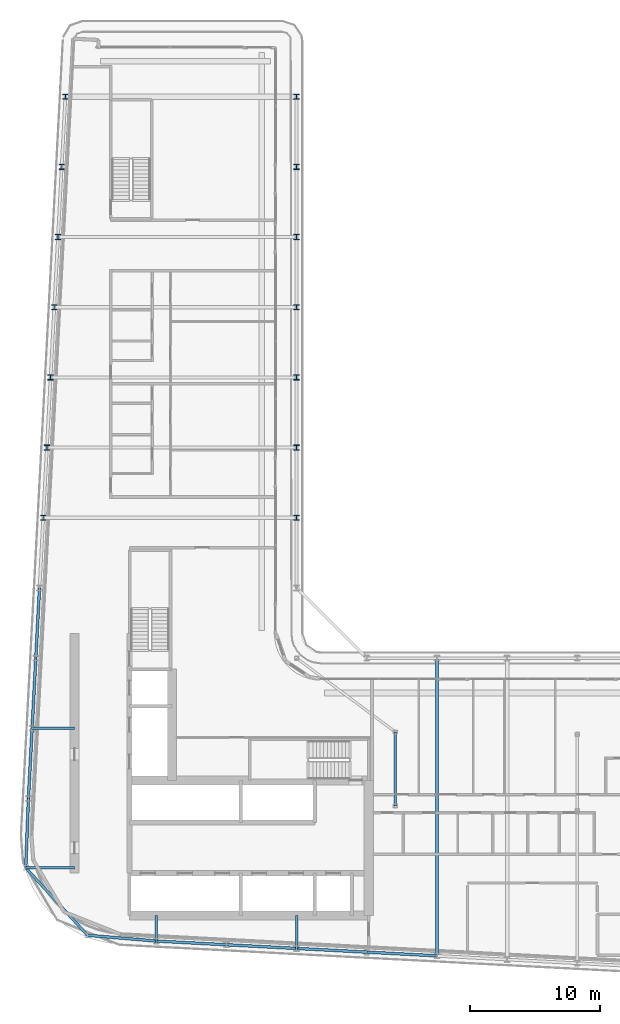
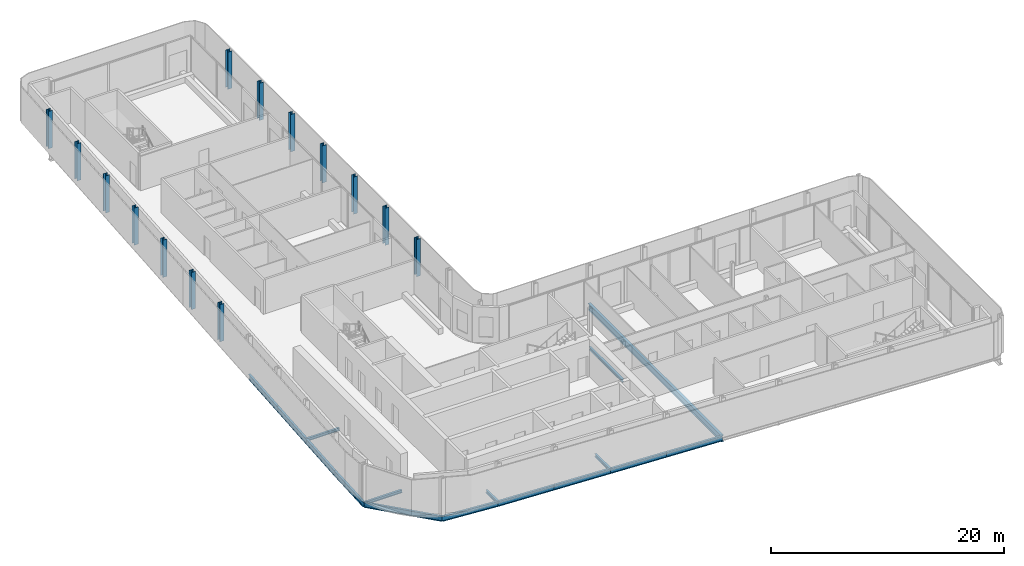
# One storey, part 3 of 21: 16 beams, 14 columns.
"""IFC4 building model written with IfcOpenShell, lengths in metres."""

import ifcopenshell
import ifcopenshell.guid

model = None  # the IFC model being written
_history = None  # IfcOwnerHistory: only IFC2X3 demands one
_inside = {}  # id of a spatial element -> (the spatial element, [elements in it])
_under = {}  # id of a project, library or spatial element -> (it, [spatial elements below it])
_declared = {}  # id of a project -> (the project, [libraries it declares])
_typed = {}  # id of a type object -> (the type object, [elements of that type])
_made_of = {}  # id of a material, layer set ... -> (it, [elements and type objects made of it])


def new_model(schema):
    """Start an empty IFC model of exactly this schema.

    Asked for "IFC4X3", IfcOpenShell would pick the latest addendum, in which some entities
    have other attributes; the version numbers below select the first issue.
    IFC2X3 requires an IfcOwnerHistory on every rooted entity: one is made here for all.
    """
    global model, _history
    if schema == "IFC4X3":
        model = ifcopenshell.file(schema_version=(4, 3, 0, 0))
    else:
        model = ifcopenshell.file(schema=schema)
    _inside.clear()
    _under.clear()
    _declared.clear()
    _typed.clear()
    _made_of.clear()
    _history = None
    if model.schema == "IFC2X3":
        org = make("IfcOrganization", Name="unknown")
        user = make(
            "IfcPersonAndOrganization",
            ThePerson=make("IfcPerson", FamilyName="unknown"),
            TheOrganization=org,
        )
        app = make(
            "IfcApplication",
            ApplicationDeveloper=org,
            Version="unknown",
            ApplicationFullName="unknown",
            ApplicationIdentifier="unknown",
        )
        _history = make(
            "IfcOwnerHistory",
            OwningUser=user,
            OwningApplication=app,
            ChangeAction="ADDED",
            CreationDate=0,
        )
    return model


def make(cls, **values):
    """One entity of the class cls with the attributes given. An attribute that is None is left unset."""
    return model.create_entity(
        cls, **{name: value for name, value in values.items() if value is not None}
    )


def rooted(cls, **values):
    """An entity with a GlobalId (a new one), such as an element, a storey or a relation."""
    return make(cls, GlobalId=ifcopenshell.guid.new(), OwnerHistory=_history, **values)


def si_unit(unit_type, name, prefix=None):
    """IfcSIUnit, for example si_unit("LENGTHUNIT", "METRE", prefix="MILLI")."""
    return make("IfcSIUnit", UnitType=unit_type, Prefix=prefix, Name=name)


def assignment(units):
    """IfcUnitAssignment: the units of a project."""
    return None if units is None else make("IfcUnitAssignment", Units=units)


def point(xyz):
    """IfcCartesianPoint."""
    return None if xyz is None else make("IfcCartesianPoint", Coordinates=xyz)


def direction(xyz):
    """IfcDirection."""
    return None if xyz is None else make("IfcDirection", DirectionRatios=xyz)


def frame(location, z_axis=None, x_axis=None):
    """IfcAxis2Placement3D, a coordinate frame: its origin and axes. An axis left out is left unset."""
    return make(
        "IfcAxis2Placement3D",
        Location=point(location),
        Axis=direction(z_axis),
        RefDirection=direction(x_axis),
    )


def frame_2d(location, x_axis=None):
    """IfcAxis2Placement2D, a coordinate frame in the plane: its origin and x axis."""
    return make(
        "IfcAxis2Placement2D", Location=point(location), RefDirection=direction(x_axis)
    )


def origin():
    """The frame at (0, 0, 0) with its axes left unset."""
    return frame((0.0, 0.0, 0.0))


def origin_2d():
    """The frame at (0, 0) in the plane with its x axis left unset."""
    return frame_2d((0.0, 0.0))


def place(relative_to, where):
    """IfcLocalPlacement: puts the frame where relative to a parent placement (None: the world)."""
    return make(
        "IfcLocalPlacement", PlacementRelTo=relative_to, RelativePlacement=where
    )


def context(
    kind, dimensions, precision=None, world=None, true_north=None, identifier=None
):
    """IfcGeometricRepresentationContext, for example the 3D "Model" context."""
    return make(
        "IfcGeometricRepresentationContext",
        ContextIdentifier=identifier,
        ContextType=kind,
        CoordinateSpaceDimension=dimensions,
        Precision=precision,
        WorldCoordinateSystem=world,
        TrueNorth=true_north,
    )


def subcontext(parent, identifier, kind, view, scale=None):
    """IfcGeometricRepresentationSubContext, for example "Body" below "Model"."""
    return make(
        "IfcGeometricRepresentationSubContext",
        ContextIdentifier=identifier,
        ContextType=kind,
        ParentContext=parent,
        TargetScale=scale,
        TargetView=view,
    )


def project(units=None, contexts=None):
    """IfcProject with its units and contexts."""
    return rooted(
        "IfcProject",
        Name="project",
        RepresentationContexts=contexts,
        UnitsInContext=assignment(units),
    )


def spatial(cls, under=None, at=None, **own):
    """A site, building, storey or space (cls), placed at a placement, below another one or the project."""
    s = rooted(cls, ObjectPlacement=at, **own)
    if under is not None:
        _under.setdefault(under.id(), (under, []))[1].append(s)
    return s


def profile(cls, at=None, kind="AREA", **sizes):
    """A parametric profile (cls). Its sizes go by their IFC names, for example OverallWidth=200.0."""
    return make(cls, ProfileType=kind, Position=at, **sizes)


def i_section(**sizes):
    """IfcIShapeProfileDef."""
    return profile("IfcIShapeProfileDef", **sizes)


def extrude(swept, where, along, depth):
    """IfcExtrudedAreaSolid: the profile swept, set in the frame where, extruded along a direction by depth."""
    return make(
        "IfcExtrudedAreaSolid",
        SweptArea=swept,
        Position=where,
        ExtrudedDirection=direction(along),
        Depth=depth,
    )


def shape(context_of_items, identifier, shape_type, items):
    """IfcShapeRepresentation: the items that make up one representation, for example the "Body"."""
    return make(
        "IfcShapeRepresentation",
        ContextOfItems=context_of_items,
        RepresentationIdentifier=identifier,
        RepresentationType=shape_type,
        Items=items,
    )


def material(Name=None, Category=None):
    """IfcMaterial."""
    return make("IfcMaterial", Name=Name, Category=Category)


def material_profile(
    of_material, cross_section, Name=None, Category=None, Priority=None
):
    """IfcMaterialProfile: a cross section and its material."""
    return make(
        "IfcMaterialProfile",
        Name=Name,
        Material=of_material,
        Profile=cross_section,
        Priority=Priority,
        Category=Category,
    )


def profile_set(profiles, Name=None, composite=None):
    """IfcMaterialProfileSet."""
    return make(
        "IfcMaterialProfileSet",
        Name=Name,
        MaterialProfiles=profiles,
        CompositeProfile=composite,
    )


def made_of(thing, what):
    """Note that an element or type object is made of a material, layer set ...; save() writes the relation."""
    if what is not None:
        _made_of.setdefault(what.id(), (what, []))[1].append(thing)
    return thing


def type_object(cls, material=None, **own):
    """A type object (cls), such as IfcWallType, which elements share."""
    return made_of(rooted(cls, **own), material)


def element(
    cls,
    number,
    at=None,
    inside=None,
    cuts=None,
    type_object=None,
    material=None,
    context=None,
    identifier="Body",
    shape_type=None,
    held_by="IfcProductDefinitionShape",
    body=None,
    shapes=None,
    **own,
):
    """One element of the class cls, such as IfcWall. Its Tag is "e" and its number.

    at: its placement. inside: the storey or other place that contains it. cuts: it is an
    opening in that element (IfcRelVoidsElement). A single representation is given by context,
    identifier, shape_type and body (its items); several are given by shapes. held_by: the class
    of the entity that holds the representations. save() writes the other relations.
    """
    e = rooted(cls, Tag="e%d" % number, ObjectPlacement=at, **own)
    if body is not None:
        shapes = [shape(context, identifier, shape_type, body)]
    if shapes is not None:
        e.Representation = make(held_by, Representations=shapes)
    if inside is not None:
        _inside.setdefault(inside.id(), (inside, []))[1].append(e)
    if cuts is not None:
        rooted(
            "IfcRelVoidsElement", RelatingBuildingElement=cuts, RelatedOpeningElement=e
        )
    if type_object is not None:
        _typed.setdefault(type_object.id(), (type_object, []))[1].append(e)
    return made_of(e, material)


def aggregate(whole, parts):
    """IfcRelAggregates: a whole, such as a stair, and the parts it consists of."""
    return rooted("IfcRelAggregates", RelatingObject=whole, RelatedObjects=parts)


def save(model, path):
    """Write the relations noted so far, then the file.

    IfcRelAggregates (storeys below a building ...), IfcRelContainedInSpatialStructure (elements
    in a storey), IfcRelDefinesByType, IfcRelAssociatesMaterial and IfcRelDeclares: one each for
    every whole, place, type object, material and project.
    """
    for whole, parts in _under.values():
        aggregate(whole, parts)
    for where, things in _inside.values():
        rooted(
            "IfcRelContainedInSpatialStructure",
            RelatedElements=things,
            RelatingStructure=where,
        )
    for kind, things in _typed.values():
        rooted("IfcRelDefinesByType", RelatedObjects=things, RelatingType=kind)
    for what, things in _made_of.values():
        rooted("IfcRelAssociatesMaterial", RelatedObjects=things, RelatingMaterial=what)
    for by, libraries in _declared.values():
        rooted("IfcRelDeclares", RelatingContext=by, RelatedDefinitions=libraries)
    model.write(path)


model = new_model("IFC4")

# Units and contexts
model_context = context("Model", 3, precision=1e-05, world=origin(), true_north=direction((0.0, 1.0)))
body_context = subcontext(model_context, "Body", "Model", "MODEL_VIEW")
ifc_project = project(units=[si_unit("LENGTHUNIT", "METRE"), si_unit("AREAUNIT", "SQUARE_METRE"), si_unit("VOLUMEUNIT", "CUBIC_METRE"), si_unit("PLANEANGLEUNIT", "RADIAN"), si_unit("MASSUNIT", "GRAM", prefix="KILO")], contexts=[model_context])

# Site, building, storey
site_placement = place(None, origin())
site = spatial("IfcSite", under=ifc_project, at=site_placement, CompositionType="ELEMENT")
building_placement = place(site_placement, origin())
building = spatial("IfcBuilding", under=site, at=building_placement, Name="Kheshtan School and Residences Tower", CompositionType="ELEMENT")
storey_placement = place(building_placement, frame((0.0, 0.0, 227.89990234375)))
storey = spatial("IfcBuildingStorey", under=building, at=storey_placement, Name="L53", CompositionType="ELEMENT", Elevation=227.89990234375)

# Columns
ifc_material = material(Name="Steel ASTM A992 Grade 50", Category="steel")
ifc_material_profile_1 = material_profile(ifc_material, i_section(OverallWidth=0.404052734375, OverallDepth=0.406982421875, WebThickness=0.027099609375, FlangeThickness=0.043701171875, FilletRadius=0.01220703125, at=origin_2d()), Name="W360x347")
ifc_profile_set_1 = profile_set([ifc_material_profile_1], Name="Steel ASTM A992 Grade 50")
column_type = type_object("IfcColumnType", Name="Column C4 W360x347 ASTM A992 Grade 50", PredefinedType="COLUMN", material=ifc_profile_set_1)
for number, where, z_axis, x_axis, name in (
    (1, (28.10595703125, 56.39990234375, 0.0), (0.0, 0.0, 1.0), (1.0, 0.0, 0.0), "Column C080"),
    (2, (47.60009765625, 56.39990234375, 0.0), (0.0, 0.0, 1.0), (1.0, 0.0, 0.0), "Column C081"),
    (3, (28.389892578125, 61.800048828125, 0.0), (0.0, 0.0, 1.0), (1.0, 0.0, 0.0), "Column C082"),
    (4, (47.60009765625, 61.800048828125, 0.0), (0.0, 0.0, 1.0), (1.0, 0.0, 0.0), "Column C083"),
    (5, (28.674072265625, 67.199951171875, 0.0), (0.0, 0.0, 1.0), (1.0, 0.0, 0.0), "Column C084"),
    (6, (47.60009765625, 67.199951171875, 0.0), (0.0, 0.0, 1.0), (1.0, 0.0, 0.0), "Column C085"),
    (7, (28.9580078125, 72.60009765625, 0.0), (0.0, 0.0, 1.0), (1.0, 0.0, 0.0), "Column C086"),
    (8, (47.60009765625, 72.60009765625, 0.0), (0.0, 0.0, 1.0), (1.0, 0.0, 0.0), "Column C087"),
    (9, (29.242919921875, 78.0, 0.0), (0.0, 0.0, 1.0), (1.0, 0.0, 0.0), "Column C088"),
    (10, (47.60009765625, 78.0, 0.0), (0.0, 0.0, 1.0), (1.0, 0.0, 0.0), "Column C089"),
    (11, (29.527099609375, 83.39990234375, 0.0), (0.0, 0.0, 1.0), (1.0, 0.0, 0.0), "Column C090"),
    (12, (47.60009765625, 83.39990234375, 0.0), (0.0, 0.0, 1.0), (1.0, 0.0, 0.0), "Column C091"),
    (13, (29.81103515625, 88.800048828125, 0.0), (0.0, 0.0, 1.0), (1.0, 0.0, 0.0), "Column C098"),
    (14, (47.60009765625, 88.800048828125, 0.0), (0.0, 0.0, 1.0), (1.0, 0.0, 0.0), "Column C099"),
):
    element("IfcColumn", number, at=place(storey_placement, frame(where, z_axis=z_axis, x_axis=x_axis)), inside=storey, type_object=column_type, Name=name, PredefinedType="COLUMN", context=body_context, shape_type="SweptSolid", body=[
        extrude(i_section(OverallWidth=0.404052734375, OverallDepth=0.406982421875, WebThickness=0.027099609375, FlangeThickness=0.043701171875, FilletRadius=0.01220703125, at=origin_2d()), origin(), (0.0, 0.0, 1.0), 3.900146484375),
    ])

# Beams
ifc_material_profile_2 = material_profile(ifc_material, i_section(OverallWidth=0.202880859375, OverallDepth=0.302978515625, WebThickness=0.007568359375, FlangeThickness=0.01318359375, FilletRadius=0.009033203125, at=origin_2d()), Name="W310x60")
ifc_profile_set_2 = profile_set([ifc_material_profile_2], Name="Steel ASTM A992 Grade 50")
beam_type_1 = type_object("IfcBeamType", Name="Beam FB1 W310x60 ASTM A992 Grade 50", PredefinedType="BEAM", material=ifc_profile_set_2)
beam_1_placement = place(storey_placement, frame((47.60009765625, 23.263916015625, -0.301513671875), z_axis=(0.0, 1.0, 0.0), x_axis=(-1.0, 0.0, 0.0)))
element("IfcBeam", 15, at=beam_1_placement, inside=storey, type_object=beam_type_1, Name="Floor beam C020", PredefinedType="BEAM", context=body_context, shape_type="SweptSolid", body=[
    extrude(i_section(OverallWidth=0.202880859375, OverallDepth=0.302978515625, WebThickness=0.007568359375, FlangeThickness=0.01318359375, FilletRadius=0.009033203125, at=origin_2d()), origin(), (0.0, 0.0, 1.0), 2.5361328125),
])
beam_2_placement = place(storey_placement, frame((36.800048828125, 23.83203125, -0.301513671875), z_axis=(0.0, 1.0, 0.0), x_axis=(-1.0, 0.0, 0.0)))
element("IfcBeam", 16, at=beam_2_placement, inside=storey, type_object=beam_type_1, Name="Floor beam C022", PredefinedType="BEAM", context=body_context, shape_type="SweptSolid", body=[
    extrude(i_section(OverallWidth=0.202880859375, OverallDepth=0.302978515625, WebThickness=0.007568359375, FlangeThickness=0.01318359375, FilletRadius=0.009033203125, at=origin_2d()), origin(), (0.0, 0.0, 1.0), 1.968017578125),
])
beam_3_placement = place(storey_placement, frame((26.760986328125, 29.465087890625, -0.301513671875), z_axis=(1.0, 0.0, 0.0), x_axis=(0.0, 1.0, 0.0)))
element("IfcBeam", 17, at=beam_3_placement, inside=storey, type_object=beam_type_1, Name="Floor beam C042", PredefinedType="BEAM", context=body_context, shape_type="SweptSolid", body=[
    extrude(i_section(OverallWidth=0.202880859375, OverallDepth=0.302978515625, WebThickness=0.007568359375, FlangeThickness=0.01318359375, FilletRadius=0.009033203125, at=origin_2d()), origin(), (0.0, 0.0, 1.0), 3.739013671875),
])
beam_4_placement = place(storey_placement, frame((27.2529296875, 40.199951171875, -0.301513671875), z_axis=(1.0, 0.0, 0.0), x_axis=(0.0, 1.0, 0.0)))
element("IfcBeam", 18, at=beam_4_placement, inside=storey, type_object=beam_type_1, Name="Floor beam C056", PredefinedType="BEAM", context=body_context, shape_type="SweptSolid", body=[
    extrude(i_section(OverallWidth=0.202880859375, OverallDepth=0.302978515625, WebThickness=0.007568359375, FlangeThickness=0.01318359375, FilletRadius=0.009033203125, at=origin_2d()), origin(), (0.0, 0.0, 1.0), 3.2470703125),
])
beam_5_placement = place(storey_placement, frame((55.199951171875, 34.23193359375, -0.301513671875), z_axis=(0.0, 1.0, 0.0), x_axis=(-1.0, 0.0, 0.0)))
element("IfcBeam", 19, at=beam_5_placement, inside=storey, type_object=beam_type_1, Name="Floor beam IC", PredefinedType="BEAM", context=body_context, shape_type="SweptSolid", body=[
    extrude(i_section(OverallWidth=0.202880859375, OverallDepth=0.302978515625, WebThickness=0.007568359375, FlangeThickness=0.01318359375, FilletRadius=0.009033203125, at=origin_2d()), origin(), (0.0, 0.0, 1.0), 5.68408203125),
])
ifc_material_profile_3 = material_profile(ifc_material, i_section(OverallWidth=0.2529296875, OverallDepth=0.677978515625, WebThickness=0.01171875, FlangeThickness=0.016357421875, FilletRadius=0.0146484375, at=origin_2d()), Name="W690x125")
ifc_profile_set_3 = profile_set([ifc_material_profile_3], Name="Steel ASTM A992 Grade 50")
beam_type_2 = type_object("IfcBeamType", Name="Beam FB6 W690x125 ASTM A992 Grade 50", PredefinedType="BEAM", material=ifc_profile_set_3)
beam_6_placement = place(storey_placement, frame((58.39990234375, 22.695068359375, -0.489013671875), z_axis=(0.0, 1.0, 0.0), x_axis=(-1.0, 0.0, 0.0)))
element("IfcBeam", 20, at=beam_6_placement, inside=storey, type_object=beam_type_2, Name="Floor beam C018", PredefinedType="BEAM", context=body_context, shape_type="SweptSolid", body=[
    extrude(i_section(OverallWidth=0.2529296875, OverallDepth=0.677978515625, WebThickness=0.01171875, FlangeThickness=0.016357421875, FilletRadius=0.0146484375, at=origin_2d()), origin(), (0.0, 0.0, 1.0), 22.905029296875),
])
ifc_material_profile_4 = material_profile(ifc_material, i_section(OverallWidth=0.208984375, OverallDepth=0.532958984375, WebThickness=0.01025390625, FlangeThickness=0.015625, FilletRadius=0.013916015625, at=origin_2d()), Name="W530x92")
ifc_profile_set_4 = profile_set([ifc_material_profile_4], Name="Steel ASTM A992 Grade 50")
beam_type_3 = type_object("IfcBeamType", Name="Beam SP3 W530x92 ASTM A992 Grade 50", PredefinedType="BEAM", material=ifc_profile_set_4)
for number, where, z_axis, x_axis, name in (
    (21, (58.39990234375, 22.695068359375, -0.41650390625), (-0.998610961136, 0.052689166816, 0.0), (-0.052689166816, -0.998610961136, 0.0), "Spandrel beam C018-C019"),
    (22, (53.0, 22.97998046875, -0.41650390625), (-0.998620447272, 0.05250906864, 0.0), (-0.05250906864, -0.998620447272, 0.0), "Spandrel beam C019-C020"),
):
    element("IfcBeam", number, at=place(storey_placement, frame(where, z_axis=z_axis, x_axis=x_axis)), inside=storey, type_object=beam_type_3, Name=name, PredefinedType="BEAM", context=body_context, shape_type="SweptSolid", body=[
        extrude(i_section(OverallWidth=0.208984375, OverallDepth=0.532958984375, WebThickness=0.01025390625, FlangeThickness=0.015625, FilletRadius=0.013916015625, at=origin_2d()), origin(), (0.0, 0.0, 1.0), 5.407470703125),
    ])
beam_7_placement = place(storey_placement, frame((47.60009765625, 23.263916015625, -0.41650390625), z_axis=(-0.998618203458, 0.052551724256, 0.0), x_axis=(-0.052551724256, -0.998618203458, 0.0)))
element("IfcBeam", 23, at=beam_7_placement, inside=storey, type_object=beam_type_3, Name="Spandrel beam C020-C021", PredefinedType="BEAM", context=body_context, shape_type="SweptSolid", body=[
    extrude(i_section(OverallWidth=0.208984375, OverallDepth=0.532958984375, WebThickness=0.01025390625, FlangeThickness=0.015625, FilletRadius=0.013916015625, at=origin_2d()), origin(), (0.0, 0.0, 1.0), 5.40771484375),
])
beam_8_placement = place(storey_placement, frame((42.199951171875, 23.548095703125, -0.41650390625), z_axis=(-0.998620447272, 0.05250906864, 0.0), x_axis=(-0.05250906864, -0.998620447272, 0.0)))
element("IfcBeam", 24, at=beam_8_placement, inside=storey, type_object=beam_type_3, Name="Spandrel beam C021-C022", PredefinedType="BEAM", context=body_context, shape_type="SweptSolid", body=[
    extrude(i_section(OverallWidth=0.208984375, OverallDepth=0.532958984375, WebThickness=0.01025390625, FlangeThickness=0.015625, FilletRadius=0.013916015625, at=origin_2d()), origin(), (0.0, 0.0, 1.0), 5.407470703125),
])
beam_9_placement = place(storey_placement, frame((36.800048828125, 23.83203125, -0.41650390625), z_axis=(-0.996468782973, 0.083964067084, 0.0), x_axis=(-0.083964067084, -0.996468782973, 0.0)))
element("IfcBeam", 25, at=beam_9_placement, inside=storey, type_object=beam_type_3, Name="Spandrel beam C022-C029", PredefinedType="BEAM", context=body_context, shape_type="SweptSolid", body=[
    extrude(i_section(OverallWidth=0.208984375, OverallDepth=0.532958984375, WebThickness=0.01025390625, FlangeThickness=0.015625, FilletRadius=0.013916015625, at=origin_2d()), origin(), (0.0, 0.0, 1.0), 5.30078125),
])
beam_10_placement = place(storey_placement, frame((31.51806640625, 24.277099609375, -0.41650390625), z_axis=(-0.675834565475, 0.737053349568, 0.0), x_axis=(-0.737053349568, -0.675834565475, 0.0)))
element("IfcBeam", 26, at=beam_10_placement, inside=storey, type_object=beam_type_3, Name="Spandrel beam C029-C042", PredefinedType="BEAM", context=body_context, shape_type="SweptSolid", body=[
    extrude(i_section(OverallWidth=0.208984375, OverallDepth=0.532958984375, WebThickness=0.01025390625, FlangeThickness=0.015625, FilletRadius=0.013916015625, at=origin_2d()), origin(), (0.0, 0.0, 1.0), 7.038818359375),
])
beam_11_placement = place(storey_placement, frame((26.760986328125, 29.465087890625, -0.41650390625), z_axis=(0.038959964217, 0.999240772381, 0.0), x_axis=(-0.999240772381, 0.038959964217, 0.0)))
element("IfcBeam", 27, at=beam_11_placement, inside=storey, type_object=beam_type_3, Name="Spandrel beam C042-C052", PredefinedType="BEAM", context=body_context, shape_type="SweptSolid", body=[
    extrude(i_section(OverallWidth=0.208984375, OverallDepth=0.532958984375, WebThickness=0.01025390625, FlangeThickness=0.015625, FilletRadius=0.013916015625, at=origin_2d()), origin(), (0.0, 0.0, 1.0), 5.339111328125),
])
beam_12_placement = place(storey_placement, frame((26.968994140625, 34.800048828125, -0.41650390625), z_axis=(0.05250906864, 0.998620447272, 0.0), x_axis=(-0.998620447272, 0.05250906864, 0.0)))
element("IfcBeam", 28, at=beam_12_placement, inside=storey, type_object=beam_type_3, Name="Spandrel beam C052-C056", PredefinedType="BEAM", context=body_context, shape_type="SweptSolid", body=[
    extrude(i_section(OverallWidth=0.208984375, OverallDepth=0.532958984375, WebThickness=0.01025390625, FlangeThickness=0.015625, FilletRadius=0.013916015625, at=origin_2d()), origin(), (0.0, 0.0, 1.0), 5.407470703125),
])
beam_13_placement = place(storey_placement, frame((27.2529296875, 40.199951171875, -0.41650390625), z_axis=(0.052551724256, 0.998618203458, 0.0), x_axis=(-0.998618203458, 0.052551724256, 0.0)))
element("IfcBeam", 29, at=beam_13_placement, inside=storey, type_object=beam_type_3, Name="Spandrel beam C056-C059", PredefinedType="BEAM", context=body_context, shape_type="SweptSolid", body=[
    extrude(i_section(OverallWidth=0.208984375, OverallDepth=0.532958984375, WebThickness=0.01025390625, FlangeThickness=0.015625, FilletRadius=0.013916015625, at=origin_2d()), origin(), (0.0, 0.0, 1.0), 5.40771484375),
])
beam_14_placement = place(storey_placement, frame((27.537109375, 45.60009765625, -0.41650390625), z_axis=(0.052689166816, 0.998610961136, 0.0), x_axis=(-0.998610961136, 0.052689166816, 0.0)))
element("IfcBeam", 30, at=beam_14_placement, inside=storey, type_object=beam_type_3, Name="Spandrel beam C059-C078", PredefinedType="BEAM", context=body_context, shape_type="SweptSolid", body=[
    extrude(i_section(OverallWidth=0.208984375, OverallDepth=0.532958984375, WebThickness=0.01025390625, FlangeThickness=0.015625, FilletRadius=0.013916015625, at=origin_2d()), origin(), (0.0, 0.0, 1.0), 5.407470703125),
])

save(model, "model.ifc")
